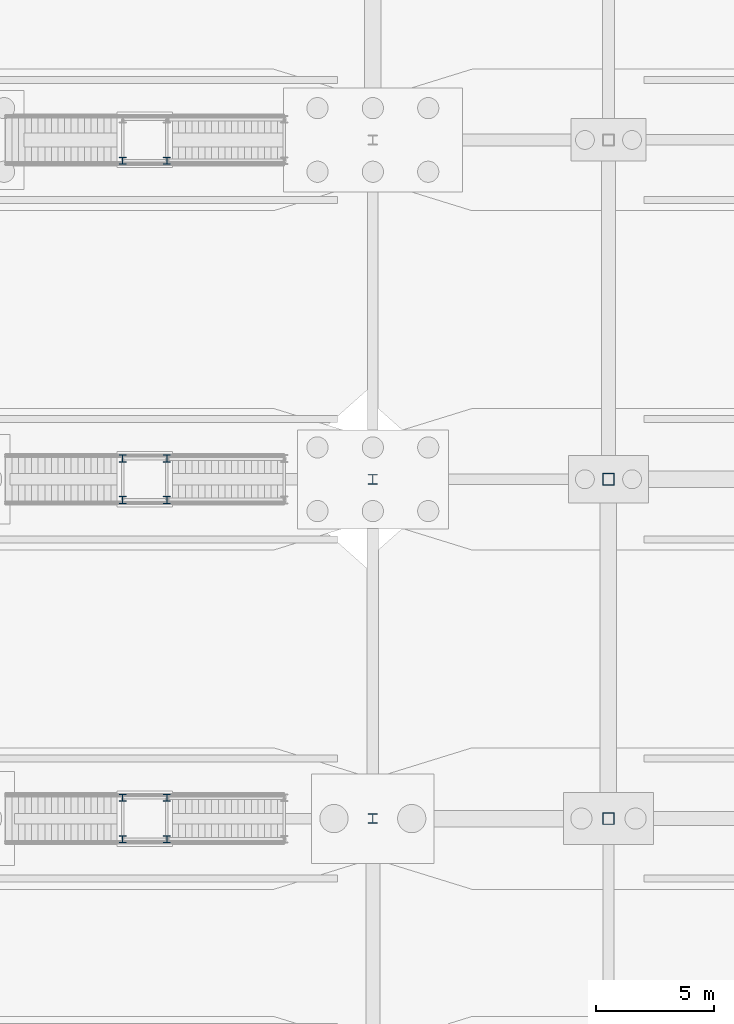
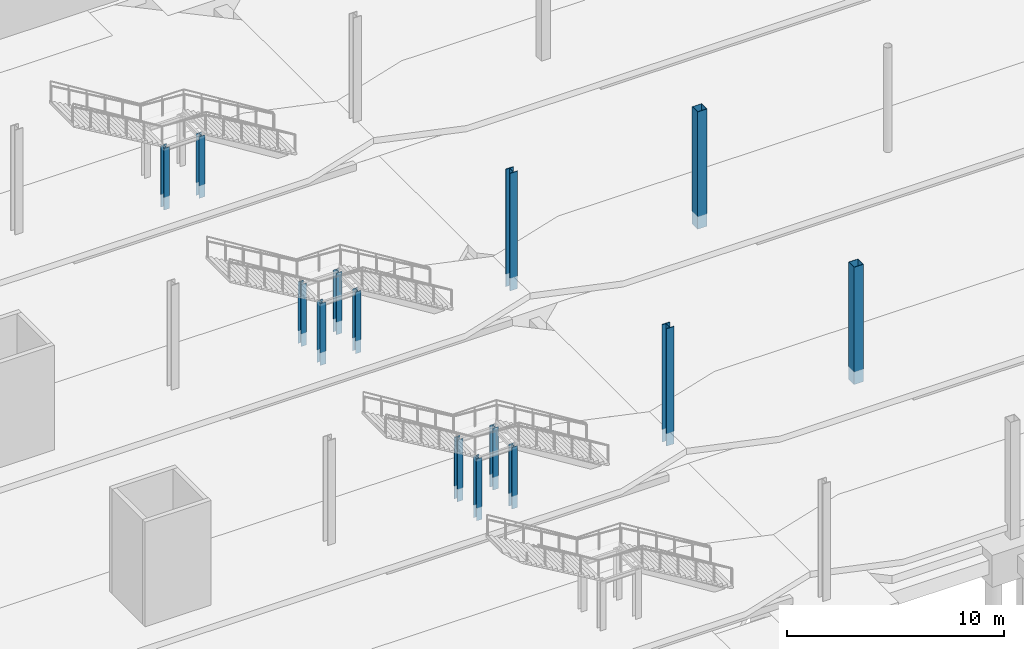
# One storey, part 16 of 115: 14 columns.
"""IFC4 building model written with IfcOpenShell, lengths in metres."""

from ifc_helpers import new_model, si_unit, direction, frame, origin, origin_2d, place, context, subcontext, project, spatial, hollow_rectangle, i_section, extrude, material, material_profile, profile_set, type_object, element, save


model = new_model("IFC4")

# Units and contexts
model_context = context("Model", 3, precision=1e-05, world=origin(), true_north=direction((0.0, 1.0)))
body_context = subcontext(model_context, "Body", "Model", "MODEL_VIEW")
ifc_project = project(units=[si_unit("LENGTHUNIT", "METRE"), si_unit("AREAUNIT", "SQUARE_METRE"), si_unit("VOLUMEUNIT", "CUBIC_METRE"), si_unit("PLANEANGLEUNIT", "RADIAN"), si_unit("MASSUNIT", "GRAM", prefix="KILO")], contexts=[model_context])

# Site, building, storey
site_placement = place(None, origin())
site = spatial("IfcSite", under=ifc_project, at=site_placement, CompositionType="ELEMENT")
building_placement = place(site_placement, origin())
building = spatial("IfcBuilding", under=site, at=building_placement, Name="Tamarisk Ironworks Central Station", CompositionType="ELEMENT")
storey_placement = place(building_placement, origin())
storey = spatial("IfcBuildingStorey", under=building, at=storey_placement, Name="L00", CompositionType="ELEMENT", Elevation=0.0)

# Columns
ifc_material_1 = material(Name="Structural steel S355J2", Category="steel")
ifc_material_profile_1 = material_profile(ifc_material_1, i_section(OverallWidth=0.408935546875, OverallDepth=0.425048828125, WebThickness=0.02490234375, FlangeThickness=0.0390625, at=origin_2d()), Name="HD 400x421")
ifc_profile_set_1 = profile_set([ifc_material_profile_1], Name="Structural steel S355J2")
column_type_1 = type_object("IfcColumnType", Name="COL-S01", PredefinedType="COLUMN", material=ifc_profile_set_1)
for number, where, z_axis, x_axis, name in (
    (1, (108.0, 36.0, 0.0), (0.0, 0.0, 1.0), (1.0, 0.0, 0.0), "L00 column V2-14D"),
    (2, (108.0, 50.39990234375, 0.0), (0.0, 0.0, 1.0), (1.0, 0.0, 0.0), "L00 column V2-14E"),
):
    element("IfcColumn", number, at=place(storey_placement, frame(where, z_axis=z_axis, x_axis=x_axis)), inside=storey, type_object=column_type_1, Name=name, PredefinedType="COLUMN", context=body_context, shape_type="SweptSolid", body=[
        extrude(i_section(OverallWidth=0.408935546875, OverallDepth=0.425048828125, WebThickness=0.02490234375, FlangeThickness=0.0390625, at=origin_2d()), origin(), (0.0, 0.0, 1.0), 6.60009765625),
    ])
ifc_material_profile_2 = material_profile(ifc_material_1, i_section(OverallWidth=0.300048828125, OverallDepth=0.300048828125, WebThickness=0.010986328125, FlangeThickness=0.01904296875, at=origin_2d()), Name="HEB 300")
ifc_profile_set_2 = profile_set([ifc_material_profile_2], Name="Structural steel S355J2")
column_type_2 = type_object("IfcColumnType", Name="COL-S12", PredefinedType="COLUMN", material=ifc_profile_set_2)
for number, where, z_axis, x_axis, name in (
    (3, (97.3798828125, 35.1201171875, 0.0), (0.0, 0.0, 1.0), (1.0, 0.0, 0.0), "ST-P2B mid-landing support column 1"),
    (4, (99.260009765625, 35.1201171875, 0.0), (0.0, 0.0, 1.0), (1.0, 0.0, 0.0), "ST-P2B mid-landing support column 2"),
    (5, (97.3798828125, 36.8798828125, 0.0), (0.0, 0.0, 1.0), (1.0, 0.0, 0.0), "ST-P2B mid-landing support column 3"),
    (6, (99.260009765625, 36.8798828125, 0.0), (0.0, 0.0, 1.0), (1.0, 0.0, 0.0), "ST-P2B mid-landing support column 4"),
    (7, (97.3798828125, 49.52001953125, 0.0), (0.0, 0.0, 1.0), (1.0, 0.0, 0.0), "ST-P3B mid-landing support column 1"),
    (8, (99.260009765625, 49.52001953125, 0.0), (0.0, 0.0, 1.0), (1.0, 0.0, 0.0), "ST-P3B mid-landing support column 2"),
    (9, (97.3798828125, 51.280029296875, 0.0), (0.0, 0.0, 1.0), (1.0, 0.0, 0.0), "ST-P3B mid-landing support column 3"),
    (10, (99.260009765625, 51.280029296875, 0.0), (0.0, 0.0, 1.0), (1.0, 0.0, 0.0), "ST-P3B mid-landing support column 4"),
    (11, (97.3798828125, 63.919921875, 0.0), (0.0, 0.0, 1.0), (1.0, 0.0, 0.0), "ST-P4B mid-landing support column 1"),
    (12, (99.260009765625, 63.919921875, 0.0), (0.0, 0.0, 1.0), (1.0, 0.0, 0.0), "ST-P4B mid-landing support column 2"),
):
    element("IfcColumn", number, at=place(storey_placement, frame(where, z_axis=z_axis, x_axis=x_axis)), inside=storey, type_object=column_type_2, Name=name, PredefinedType="COLUMN", context=body_context, shape_type="SweptSolid", body=[
        extrude(i_section(OverallWidth=0.300048828125, OverallDepth=0.300048828125, WebThickness=0.010986328125, FlangeThickness=0.01904296875, at=origin_2d()), origin(), (0.0, 0.0, 1.0), 3.469970703125),
    ])
ifc_material_2 = material(Name="Structural steel S355J2H", Category="steel")
ifc_material_profile_3 = material_profile(ifc_material_2, hollow_rectangle(XDim=0.5, YDim=0.5, WallThickness=0.02001953125, at=origin_2d()), Name="SHS 500x500x20")
ifc_profile_set_3 = profile_set([ifc_material_profile_3], Name="Structural steel S355J2H")
column_type_3 = type_object("IfcColumnType", Name="COL-S13", PredefinedType="COLUMN", material=ifc_profile_set_3)
for number, where, z_axis, x_axis, name in (
    (13, (118.0, 36.0, 0.0), (0.0, 0.0, 1.0), (1.0, 0.0, 0.0), "L00 column V1-15D"),
    (14, (118.0, 50.39990234375, 0.0), (0.0, 0.0, 1.0), (1.0, 0.0, 0.0), "L00 column V1-15E"),
):
    element("IfcColumn", number, at=place(storey_placement, frame(where, z_axis=z_axis, x_axis=x_axis)), inside=storey, type_object=column_type_3, Name=name, PredefinedType="COLUMN", context=body_context, shape_type="SweptSolid", body=[
        extrude(hollow_rectangle(XDim=0.5, YDim=0.5, WallThickness=0.02001953125, at=origin_2d()), origin(), (0.0, 0.0, 1.0), 6.60009765625),
    ])

save(model, "model.ifc")
